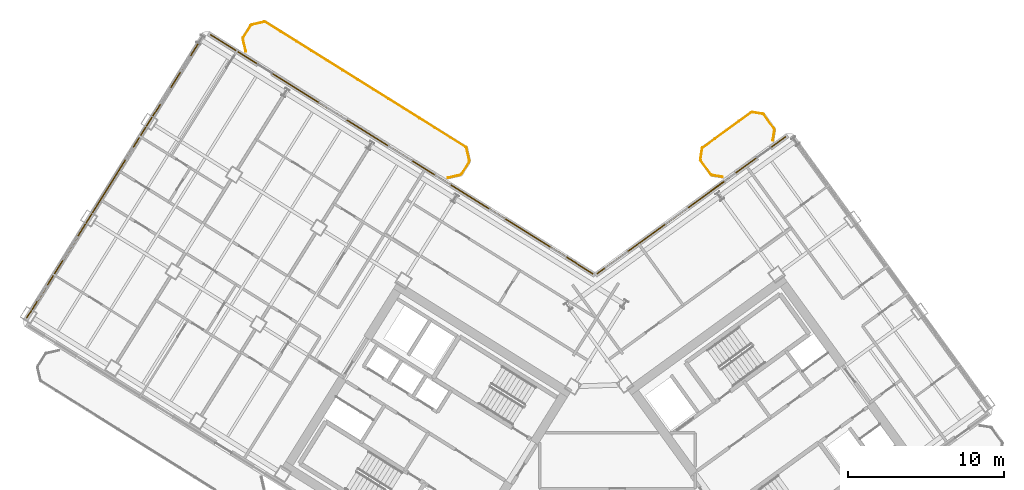
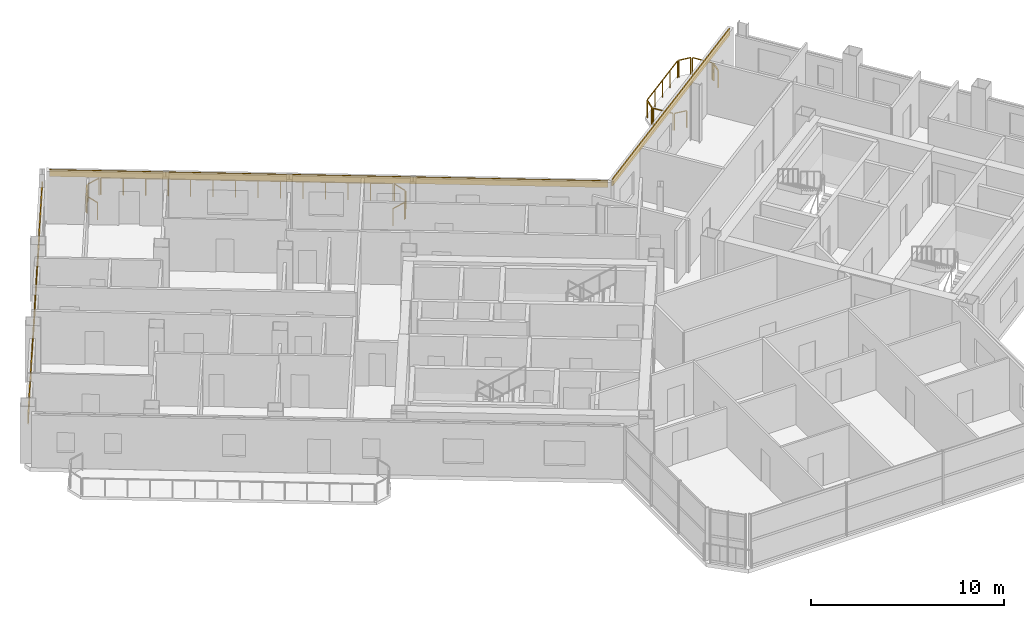
# One storey, part 21 of 21: 14 railings, 3 coverings.
"""IFC4 building model written with IfcOpenShell, lengths in metres."""

import ifcopenshell
import ifcopenshell.guid

model = None  # the IFC model being written
_history = None  # IfcOwnerHistory: only IFC2X3 demands one
_inside = {}  # id of a spatial element -> (the spatial element, [elements in it])
_under = {}  # id of a project, library or spatial element -> (it, [spatial elements below it])
_declared = {}  # id of a project -> (the project, [libraries it declares])
_typed = {}  # id of a type object -> (the type object, [elements of that type])
_made_of = {}  # id of a material, layer set ... -> (it, [elements and type objects made of it])


def new_model(schema):
    """Start an empty IFC model of exactly this schema.

    Asked for "IFC4X3", IfcOpenShell would pick the latest addendum, in which some entities
    have other attributes; the version numbers below select the first issue.
    IFC2X3 requires an IfcOwnerHistory on every rooted entity: one is made here for all.
    """
    global model, _history
    if schema == "IFC4X3":
        model = ifcopenshell.file(schema_version=(4, 3, 0, 0))
    else:
        model = ifcopenshell.file(schema=schema)
    _inside.clear()
    _under.clear()
    _declared.clear()
    _typed.clear()
    _made_of.clear()
    _history = None
    if model.schema == "IFC2X3":
        org = make("IfcOrganization", Name="unknown")
        user = make(
            "IfcPersonAndOrganization",
            ThePerson=make("IfcPerson", FamilyName="unknown"),
            TheOrganization=org,
        )
        app = make(
            "IfcApplication",
            ApplicationDeveloper=org,
            Version="unknown",
            ApplicationFullName="unknown",
            ApplicationIdentifier="unknown",
        )
        _history = make(
            "IfcOwnerHistory",
            OwningUser=user,
            OwningApplication=app,
            ChangeAction="ADDED",
            CreationDate=0,
        )
    return model


def make(cls, **values):
    """One entity of the class cls with the attributes given. An attribute that is None is left unset."""
    return model.create_entity(
        cls, **{name: value for name, value in values.items() if value is not None}
    )


def rooted(cls, **values):
    """An entity with a GlobalId (a new one), such as an element, a storey or a relation."""
    return make(cls, GlobalId=ifcopenshell.guid.new(), OwnerHistory=_history, **values)


def si_unit(unit_type, name, prefix=None):
    """IfcSIUnit, for example si_unit("LENGTHUNIT", "METRE", prefix="MILLI")."""
    return make("IfcSIUnit", UnitType=unit_type, Prefix=prefix, Name=name)


def assignment(units):
    """IfcUnitAssignment: the units of a project."""
    return None if units is None else make("IfcUnitAssignment", Units=units)


def point(xyz):
    """IfcCartesianPoint."""
    return None if xyz is None else make("IfcCartesianPoint", Coordinates=xyz)


def direction(xyz):
    """IfcDirection."""
    return None if xyz is None else make("IfcDirection", DirectionRatios=xyz)


def frame(location, z_axis=None, x_axis=None):
    """IfcAxis2Placement3D, a coordinate frame: its origin and axes. An axis left out is left unset."""
    return make(
        "IfcAxis2Placement3D",
        Location=point(location),
        Axis=direction(z_axis),
        RefDirection=direction(x_axis),
    )


def frame_2d(location, x_axis=None):
    """IfcAxis2Placement2D, a coordinate frame in the plane: its origin and x axis."""
    return make(
        "IfcAxis2Placement2D", Location=point(location), RefDirection=direction(x_axis)
    )


def origin():
    """The frame at (0, 0, 0) with its axes left unset."""
    return frame((0.0, 0.0, 0.0))


def origin_2d():
    """The frame at (0, 0) in the plane with its x axis left unset."""
    return frame_2d((0.0, 0.0))


def place(relative_to, where):
    """IfcLocalPlacement: puts the frame where relative to a parent placement (None: the world)."""
    return make(
        "IfcLocalPlacement", PlacementRelTo=relative_to, RelativePlacement=where
    )


def context(
    kind, dimensions, precision=None, world=None, true_north=None, identifier=None
):
    """IfcGeometricRepresentationContext, for example the 3D "Model" context."""
    return make(
        "IfcGeometricRepresentationContext",
        ContextIdentifier=identifier,
        ContextType=kind,
        CoordinateSpaceDimension=dimensions,
        Precision=precision,
        WorldCoordinateSystem=world,
        TrueNorth=true_north,
    )


def subcontext(parent, identifier, kind, view, scale=None):
    """IfcGeometricRepresentationSubContext, for example "Body" below "Model"."""
    return make(
        "IfcGeometricRepresentationSubContext",
        ContextIdentifier=identifier,
        ContextType=kind,
        ParentContext=parent,
        TargetScale=scale,
        TargetView=view,
    )


def project(units=None, contexts=None):
    """IfcProject with its units and contexts."""
    return rooted(
        "IfcProject",
        Name="project",
        RepresentationContexts=contexts,
        UnitsInContext=assignment(units),
    )


def spatial(cls, under=None, at=None, **own):
    """A site, building, storey or space (cls), placed at a placement, below another one or the project."""
    s = rooted(cls, ObjectPlacement=at, **own)
    if under is not None:
        _under.setdefault(under.id(), (under, []))[1].append(s)
    return s


def profile(cls, at=None, kind="AREA", **sizes):
    """A parametric profile (cls). Its sizes go by their IFC names, for example OverallWidth=200.0."""
    return make(cls, ProfileType=kind, Position=at, **sizes)


def rectangle(**sizes):
    """IfcRectangleProfileDef."""
    return profile("IfcRectangleProfileDef", **sizes)


def extrude(swept, where, along, depth):
    """IfcExtrudedAreaSolid: the profile swept, set in the frame where, extruded along a direction by depth."""
    return make(
        "IfcExtrudedAreaSolid",
        SweptArea=swept,
        Position=where,
        ExtrudedDirection=direction(along),
        Depth=depth,
    )


def shape(context_of_items, identifier, shape_type, items):
    """IfcShapeRepresentation: the items that make up one representation, for example the "Body"."""
    return make(
        "IfcShapeRepresentation",
        ContextOfItems=context_of_items,
        RepresentationIdentifier=identifier,
        RepresentationType=shape_type,
        Items=items,
    )


def source(mapping_origin, context_of_items, identifier, shape_type, items):
    """IfcRepresentationMap: a shape defined once, which mapped items show again and again."""
    return make(
        "IfcRepresentationMap",
        MappingOrigin=mapping_origin,
        MappedRepresentation=shape(context_of_items, identifier, shape_type, items),
    )


def transform(
    local_origin,
    x_axis=None,
    y_axis=None,
    z_axis=None,
    scale=None,
    scale2=None,
    scale3=None,
    uniform=True,
):
    """IfcCartesianTransformationOperator3D, or its non-uniform kind. x_axis, y_axis, z_axis: its Axis1, 2, 3."""
    if uniform:
        return make(
            "IfcCartesianTransformationOperator3D",
            Axis1=direction(x_axis),
            Axis2=direction(y_axis),
            LocalOrigin=point(local_origin),
            Scale=scale,
            Axis3=direction(z_axis),
        )
    return make(
        "IfcCartesianTransformationOperator3DnonUniform",
        Axis1=direction(x_axis),
        Axis2=direction(y_axis),
        LocalOrigin=point(local_origin),
        Scale=scale,
        Axis3=direction(z_axis),
        Scale2=scale2,
        Scale3=scale3,
    )


def mapped(mapping_source, mapping_target):
    """IfcMappedItem: shows the shape of a source again, moved by a transform."""
    return make(
        "IfcMappedItem", MappingSource=mapping_source, MappingTarget=mapping_target
    )


def material(Name=None, Category=None):
    """IfcMaterial."""
    return make("IfcMaterial", Name=Name, Category=Category)


def layer(
    of_material, thickness, ventilated=None, Name=None, Category=None, Priority=None
):
    """IfcMaterialLayer: one layer of a wall or slab, of a material (None: an air gap)."""
    return make(
        "IfcMaterialLayer",
        Material=of_material,
        LayerThickness=thickness,
        IsVentilated=ventilated,
        Name=Name,
        Category=Category,
        Priority=Priority,
    )


def layer_set(layers, Name=None):
    """IfcMaterialLayerSet."""
    return make("IfcMaterialLayerSet", MaterialLayers=layers, LayerSetName=Name)


def made_of(thing, what):
    """Note that an element or type object is made of a material, layer set ...; save() writes the relation."""
    if what is not None:
        _made_of.setdefault(what.id(), (what, []))[1].append(thing)
    return thing


def type_object(cls, material=None, **own):
    """A type object (cls), such as IfcWallType, which elements share."""
    return made_of(rooted(cls, **own), material)


def element(
    cls,
    number,
    at=None,
    inside=None,
    cuts=None,
    type_object=None,
    material=None,
    context=None,
    identifier="Body",
    shape_type=None,
    held_by="IfcProductDefinitionShape",
    body=None,
    shapes=None,
    **own,
):
    """One element of the class cls, such as IfcWall. Its Tag is "e" and its number.

    at: its placement. inside: the storey or other place that contains it. cuts: it is an
    opening in that element (IfcRelVoidsElement). A single representation is given by context,
    identifier, shape_type and body (its items); several are given by shapes. held_by: the class
    of the entity that holds the representations. save() writes the other relations.
    """
    e = rooted(cls, Tag="e%d" % number, ObjectPlacement=at, **own)
    if body is not None:
        shapes = [shape(context, identifier, shape_type, body)]
    if shapes is not None:
        e.Representation = make(held_by, Representations=shapes)
    if inside is not None:
        _inside.setdefault(inside.id(), (inside, []))[1].append(e)
    if cuts is not None:
        rooted(
            "IfcRelVoidsElement", RelatingBuildingElement=cuts, RelatedOpeningElement=e
        )
    if type_object is not None:
        _typed.setdefault(type_object.id(), (type_object, []))[1].append(e)
    return made_of(e, material)


def aggregate(whole, parts):
    """IfcRelAggregates: a whole, such as a stair, and the parts it consists of."""
    return rooted("IfcRelAggregates", RelatingObject=whole, RelatedObjects=parts)


def save(model, path):
    """Write the relations noted so far, then the file.

    IfcRelAggregates (storeys below a building ...), IfcRelContainedInSpatialStructure (elements
    in a storey), IfcRelDefinesByType, IfcRelAssociatesMaterial and IfcRelDeclares: one each for
    every whole, place, type object, material and project.
    """
    for whole, parts in _under.values():
        aggregate(whole, parts)
    for where, things in _inside.values():
        rooted(
            "IfcRelContainedInSpatialStructure",
            RelatedElements=things,
            RelatingStructure=where,
        )
    for kind, things in _typed.values():
        rooted("IfcRelDefinesByType", RelatedObjects=things, RelatingType=kind)
    for what, things in _made_of.values():
        rooted("IfcRelAssociatesMaterial", RelatedObjects=things, RelatingMaterial=what)
    for by, libraries in _declared.values():
        rooted("IfcRelDeclares", RelatingContext=by, RelatedDefinitions=libraries)
    model.write(path)


model = new_model("IFC4")

# Units and contexts
model_context = context("Model", 3, precision=1e-05, world=origin(), true_north=direction((0.0, 1.0)))
body_context = subcontext(model_context, "Body", "Model", "MODEL_VIEW")
ifc_project = project(units=[si_unit("LENGTHUNIT", "METRE"), si_unit("AREAUNIT", "SQUARE_METRE"), si_unit("VOLUMEUNIT", "CUBIC_METRE"), si_unit("PLANEANGLEUNIT", "RADIAN"), si_unit("MASSUNIT", "GRAM", prefix="KILO")], contexts=[model_context])

# Site, building, storey
site_placement = place(None, origin())
site = spatial("IfcSite", under=ifc_project, at=site_placement, CompositionType="ELEMENT")
building_placement = place(site_placement, origin())
building = spatial("IfcBuilding", under=site, at=building_placement, Name="Tlacorven Tower", CompositionType="ELEMENT")
storey_placement = place(building_placement, frame((0.0, 0.0, 191.39990234375)))
storey = spatial("IfcBuildingStorey", under=building, at=storey_placement, Name="L48", CompositionType="ELEMENT", Elevation=191.39990234375)

# Railings
ifc_material_1 = material(Name="Aluminium and painted steel balustrade", Category="steel")
railing_type = type_object("IfcRailingType", Name="RL-BAL-1100", PredefinedType="BALUSTRADE", material=ifc_material_1)
shared_shape_1 = source(origin(), body_context, "Body", "SweptSolid", [
    extrude(rectangle(XDim=0.048095703125, YDim=0.048095703125, at=origin_2d()), frame((0.0, 0.0, 1.076171875), z_axis=(0.974345290916, 0.225058334816, 0.0), x_axis=(-0.225058334816, 0.974345290916, 0.0)), (0.0, 0.0, 1.0), 0.80712890625),
    extrude(rectangle(XDim=0.0419921875, YDim=0.0419921875, at=origin_2d()), origin(), (0.0, 0.0, 1.0), 1.052001953125),
    extrude(rectangle(XDim=0.0419921875, YDim=0.0419921875, at=origin_2d()), frame((0.786376953125, 0.181640625, 0.0)), (0.0, 0.0, 1.0), 1.052001953125),
])
railing_1_placement = place(storey_placement, frame((20.2138671875, 47.643798828125, 0.0)))
element("IfcRailing", 1, at=railing_1_placement, inside=storey, type_object=railing_type, Name="BAL-L48-W-IN Guard Railing 6", PredefinedType="BALUSTRADE", context=body_context, shape_type="MappedRepresentation", body=[
    mapped(shared_shape_1, transform((0.0, 0.0, 0.0), scale=1.0)),
])
shared_shape_2 = source(origin(), body_context, "Body", "SweptSolid", [
    extrude(rectangle(XDim=0.048095703125, YDim=0.048095703125, at=origin_2d()), frame((0.0, 0.0, 1.076171875), z_axis=(-0.987661653326, 0.156602868908, 0.0), x_axis=(-0.156602868908, -0.987661653326, 0.0)), (0.0, 0.0, 1.0), 0.665771484375),
    extrude(rectangle(XDim=0.0419921875, YDim=0.0419921875, at=origin_2d()), origin(), (0.0, 0.0, 1.0), 1.052001953125),
    extrude(rectangle(XDim=0.0419921875, YDim=0.0419921875, at=origin_2d()), frame((-0.657470703125, 0.104248046875, 0.0)), (0.0, 0.0, 1.0), 1.052001953125),
])
railing_2_placement = place(storey_placement, frame((50.359130859375, 37.891845703125, 0.0)))
element("IfcRailing", 2, at=railing_2_placement, inside=storey, type_object=railing_type, Name="BAL-L48-E-IN Guard Railing 1", PredefinedType="BALUSTRADE", context=body_context, shape_type="MappedRepresentation", body=[
    mapped(shared_shape_2, transform((0.0, 0.0, 0.0), scale=1.0)),
])
shared_shape_3 = source(origin(), body_context, "Body", "SweptSolid", [
    extrude(rectangle(XDim=0.048095703125, YDim=0.048095703125, at=origin_2d()), frame((0.0, 0.0, 1.076171875), z_axis=(0.156602868908, 0.987661653326, 0.0), x_axis=(-0.987661653326, 0.156602868908, 0.0)), (0.0, 0.0, 1.0), 0.665771484375),
    extrude(rectangle(XDim=0.0419921875, YDim=0.0419921875, at=origin_2d()), origin(), (0.0, 0.0, 1.0), 1.052001953125),
    extrude(rectangle(XDim=0.0419921875, YDim=0.0419921875, at=origin_2d()), frame((0.104248046875, 0.657470703125, 0.0)), (0.0, 0.0, 1.0), 1.052001953125),
])
railing_3_placement = place(storey_placement, frame((48.947509765625, 39.033935546875, 0.0)))
element("IfcRailing", 3, at=railing_3_placement, inside=storey, type_object=railing_type, Name="BAL-L48-E-IN Guard Railing 3", PredefinedType="BALUSTRADE", context=body_context, shape_type="MappedRepresentation", body=[
    mapped(shared_shape_3, transform((0.0, 0.0, 0.0), scale=1.0)),
])
shared_shape_4 = source(origin(), body_context, "Body", "SweptSolid", [
    extrude(rectangle(XDim=0.048095703125, YDim=0.048095703125, at=origin_2d()), frame((0.0, 0.0, 1.076171875), z_axis=(-0.156245081039, -0.987718317463, 0.0), x_axis=(0.987718317463, -0.156245081039, 0.0)), (0.0, 0.0, 1.0), 0.66552734375),
    extrude(rectangle(XDim=0.0419921875, YDim=0.0419921875, at=origin_2d()), origin(), (0.0, 0.0, 1.0), 1.052001953125),
    extrude(rectangle(XDim=0.0419921875, YDim=0.0419921875, at=origin_2d()), frame((-0.10400390625, -0.657470703125, 0.0)), (0.0, 0.0, 1.0), 1.052001953125),
])
railing_4_placement = place(storey_placement, frame((53.689453125, 40.893310546875, 0.0)))
element("IfcRailing", 4, at=railing_4_placement, inside=storey, type_object=railing_type, Name="BAL-L48-E-IN Guard Railing 7", PredefinedType="BALUSTRADE", context=body_context, shape_type="MappedRepresentation", body=[
    mapped(shared_shape_4, transform((0.0, 0.0, 0.0), scale=1.0)),
])

# Covering
ifc_material_2 = material(Name="Precast concrete C45/55", Category="concrete")
ifc_layer = layer(ifc_material_2, 0.06005859375)
ifc_layer_set = layer_set([ifc_layer], Name="Precast concrete C45/55")
covering_type = type_object("IfcCoveringType", Name="CV-CLD-TERC", PredefinedType="CLADDING", material=ifc_layer_set)
shared_shape_5 = source(origin(), body_context, "Body", "SweptSolid", [
    extrude(rectangle(XDim=21.287353515625, YDim=0.06005859375, at=origin_2d()), origin(), (0.0, 0.0, 1.0), 0.419921875),
])
covering_1_placement = place(storey_placement, frame((11.419677734375, 37.864013671875, 2.375244140625), z_axis=(0.0, 0.0, 1.0), x_axis=(0.529919147866, 0.848048168871, 0.0)))
element("IfcCovering", 5, at=covering_1_placement, inside=storey, type_object=covering_type, Name="L48 Masonry-Frame Spandrel Cladding 2", PredefinedType="CLADDING", context=body_context, shape_type="MappedRepresentation", body=[
    mapped(shared_shape_5, transform((0.0, 0.0, 0.0), scale=1.0)),
])

# Railings
shared_shape_6 = source(origin(), body_context, "Body", "SweptSolid", [
    extrude(rectangle(XDim=0.048095703125, YDim=0.048095703125, at=origin_2d()), frame((0.0, 0.0, 1.076171875), z_axis=(0.529998940003, 0.847998304005, 0.0), x_axis=(-0.847998304005, 0.529998940003, 0.0)), (0.0, 0.0, 1.0), 0.912109375),
    extrude(rectangle(XDim=0.0419921875, YDim=0.0419921875, at=origin_2d()), origin(), (0.0, 0.0, 1.0), 1.052001953125),
    extrude(rectangle(XDim=0.0419921875, YDim=0.0419921875, at=origin_2d()), frame((0.4833984375, 0.7734375, 0.0)), (0.0, 0.0, 1.0), 1.052001953125),
])
railing_5_placement = place(storey_placement, frame((19.6552734375, 46.816650390625, 0.0)))
element("IfcRailing", 6, at=railing_5_placement, inside=storey, type_object=railing_type, Name="BAL-L48-W-IN Guard Railing 5", PredefinedType="BALUSTRADE", context=body_context, shape_type="MappedRepresentation", body=[
    mapped(shared_shape_6, transform((0.0, 0.0, 0.0), scale=1.0)),
])
shared_shape_7 = source(origin(), body_context, "Body", "SweptSolid", [
    extrude(rectangle(XDim=0.048095703125, YDim=0.048095703125, at=origin_2d()), frame((0.0, 0.0, 1.076171875), z_axis=(0.224992020761, -0.974360606036, 0.0), x_axis=(0.974360606036, 0.224992020761, 0.0)), (0.0, 0.0, 1.0), 0.807373046875),
    extrude(rectangle(XDim=0.0419921875, YDim=0.0419921875, at=origin_2d()), origin(), (0.0, 0.0, 1.0), 1.052001953125),
    extrude(rectangle(XDim=0.0419921875, YDim=0.0419921875, at=origin_2d()), frame((0.181640625, -0.78662109375, 0.0)), (0.0, 0.0, 1.0), 1.052001953125),
])
railing_6_placement = place(storey_placement, frame((33.965087890625, 39.72412109375, 0.0)))
element("IfcRailing", 7, at=railing_6_placement, inside=storey, type_object=railing_type, Name="BAL-L48-W-IN Guard Railing 1", PredefinedType="BALUSTRADE", context=body_context, shape_type="MappedRepresentation", body=[
    mapped(shared_shape_7, transform((0.0, 0.0, 0.0), scale=1.0)),
])
shared_shape_8 = source(origin(), body_context, "Body", "SweptSolid", [
    extrude(rectangle(XDim=0.048095703125, YDim=0.048095703125, at=origin_2d()), frame((0.0, 0.0, 1.076171875), z_axis=(-0.529998940003, -0.847998304005, 0.0), x_axis=(0.847998304005, -0.529998940003, 0.0)), (0.0, 0.0, 1.0), 0.912109375),
    extrude(rectangle(XDim=0.0419921875, YDim=0.0419921875, at=origin_2d()), origin(), (0.0, 0.0, 1.0), 1.052001953125),
    extrude(rectangle(XDim=0.0419921875, YDim=0.0419921875, at=origin_2d()), frame((-0.4833984375, -0.7734375, 0.0)), (0.0, 0.0, 1.0), 1.052001953125),
])
railing_7_placement = place(storey_placement, frame((34.131591796875, 38.846435546875, 0.0)))
element("IfcRailing", 8, at=railing_7_placement, inside=storey, type_object=railing_type, Name="BAL-L48-W-IN Guard Railing 2", PredefinedType="BALUSTRADE", context=body_context, shape_type="MappedRepresentation", body=[
    mapped(shared_shape_8, transform((0.0, 0.0, 0.0), scale=1.0)),
])
shared_shape_9 = source(origin(), body_context, "Body", "SweptSolid", [
    extrude(rectangle(XDim=0.048095703125, YDim=0.048095703125, at=origin_2d()), frame((0.0, 0.0, 1.076171875), z_axis=(-0.974360606036, -0.224992020761, 0.0), x_axis=(0.224992020761, -0.974360606036, 0.0)), (0.0, 0.0, 1.0), 0.807373046875),
    extrude(rectangle(XDim=0.0419921875, YDim=0.0419921875, at=origin_2d()), origin(), (0.0, 0.0, 1.0), 1.052001953125),
    extrude(rectangle(XDim=0.0419921875, YDim=0.0419921875, at=origin_2d()), frame((-0.78662109375, -0.181640625, 0.0)), (0.0, 0.0, 1.0), 1.052001953125),
])
railing_8_placement = place(storey_placement, frame((33.572998046875, 38.019287109375, 0.0)))
element("IfcRailing", 9, at=railing_8_placement, inside=storey, type_object=railing_type, Name="BAL-L48-W-IN Guard Railing 3", PredefinedType="BALUSTRADE", context=body_context, shape_type="MappedRepresentation", body=[
    mapped(shared_shape_9, transform((0.0, 0.0, 0.0), scale=1.0)),
])
shared_shape_10 = source(origin(), body_context, "Body", "SweptSolid", [
    extrude(rectangle(XDim=0.048095703125, YDim=0.048095703125, at=origin_2d()), frame((0.0, 0.0, 1.076171875), z_axis=(-0.22470489119, 0.974426863277, 0.0), x_axis=(-0.974426863277, -0.22470489119, 0.0)), (0.0, 0.0, 1.0), 0.807373046875),
    extrude(rectangle(XDim=0.0419921875, YDim=0.0419921875, at=origin_2d()), origin(), (0.0, 0.0, 1.0), 1.052001953125),
    extrude(rectangle(XDim=0.0419921875, YDim=0.0419921875, at=origin_2d()), frame((-0.181396484375, 0.78662109375, 0.0)), (0.0, 0.0, 1.0), 1.052001953125),
])
railing_9_placement = place(storey_placement, frame((19.821533203125, 45.93896484375, 0.0)))
element("IfcRailing", 10, at=railing_9_placement, inside=storey, type_object=railing_type, Name="BAL-L48-W-IN Guard Railing 4", PredefinedType="BALUSTRADE", context=body_context, shape_type="MappedRepresentation", body=[
    mapped(shared_shape_10, transform((0.0, 0.0, 0.0), scale=1.0)),
])
shared_shape_11 = source(origin(), body_context, "Body", "SweptSolid", [
    extrude(rectangle(XDim=0.048095703125, YDim=0.048095703125, at=origin_2d()), frame((0.0, 0.0, 1.076171875), z_axis=(0.848051830527, -0.529913287944, 0.0), x_axis=(0.529913287944, 0.848051830527, 0.0)), (0.0, 0.0, 1.0), 15.1171875),
    extrude(rectangle(XDim=0.0419921875, YDim=0.0419921875, at=origin_2d()), origin(), (0.0, 0.0, 1.0), 1.052001953125),
    extrude(rectangle(XDim=0.0419921875, YDim=0.0419921875, at=origin_2d()), frame((0.986083984375, -0.6162109375, 0.0)), (0.0, 0.0, 1.0), 1.052001953125),
    extrude(rectangle(XDim=0.0419921875, YDim=0.0419921875, at=origin_2d()), frame((1.972412109375, -1.232421875, 0.0)), (0.0, 0.0, 1.0), 1.052001953125),
    extrude(rectangle(XDim=0.0419921875, YDim=0.0419921875, at=origin_2d()), frame((2.95849609375, -1.8486328125, 0.0)), (0.0, 0.0, 1.0), 1.052001953125),
    extrude(rectangle(XDim=0.0419921875, YDim=0.0419921875, at=origin_2d()), frame((3.944580078125, -2.46484375, 0.0)), (0.0, 0.0, 1.0), 1.052001953125),
    extrude(rectangle(XDim=0.0419921875, YDim=0.0419921875, at=origin_2d()), frame((4.930908203125, -3.0810546875, 0.0)), (0.0, 0.0, 1.0), 1.052001953125),
    extrude(rectangle(XDim=0.0419921875, YDim=0.0419921875, at=origin_2d()), frame((5.9169921875, -3.697265625, 0.0)), (0.0, 0.0, 1.0), 1.052001953125),
    extrude(rectangle(XDim=0.0419921875, YDim=0.0419921875, at=origin_2d()), frame((6.903076171875, -4.3134765625, 0.0)), (0.0, 0.0, 1.0), 1.052001953125),
    extrude(rectangle(XDim=0.0419921875, YDim=0.0419921875, at=origin_2d()), frame((7.88916015625, -4.9296875, 0.0)), (0.0, 0.0, 1.0), 1.052001953125),
    extrude(rectangle(XDim=0.0419921875, YDim=0.0419921875, at=origin_2d()), frame((8.87548828125, -5.5458984375, 0.0)), (0.0, 0.0, 1.0), 1.052001953125),
    extrude(rectangle(XDim=0.0419921875, YDim=0.0419921875, at=origin_2d()), frame((9.861572265625, -6.162109375, 0.0)), (0.0, 0.0, 1.0), 1.052001953125),
    extrude(rectangle(XDim=0.0419921875, YDim=0.0419921875, at=origin_2d()), frame((10.84765625, -6.7783203125, 0.0)), (0.0, 0.0, 1.0), 1.052001953125),
    extrude(rectangle(XDim=0.0419921875, YDim=0.0419921875, at=origin_2d()), frame((11.833984375, -7.39453125, 0.0)), (0.0, 0.0, 1.0), 1.052001953125),
    extrude(rectangle(XDim=0.0419921875, YDim=0.0419921875, at=origin_2d()), frame((12.820068359375, -8.0107421875, 0.0)), (0.0, 0.0, 1.0), 1.052001953125),
])
railing_10_placement = place(storey_placement, frame((21.091552734375, 47.81005859375, 0.0)))
element("IfcRailing", 11, at=railing_10_placement, inside=storey, type_object=railing_type, Name="BAL-L48-W-IN Guard Railing 7", PredefinedType="BALUSTRADE", context=body_context, shape_type="MappedRepresentation", body=[
    mapped(shared_shape_11, transform((0.0, 0.0, 0.0), scale=1.0)),
])
shared_shape_12 = source(origin(), body_context, "Body", "SweptSolid", [
    extrude(rectangle(XDim=0.048095703125, YDim=0.048095703125, at=origin_2d()), frame((0.0, 0.0, 1.076171875), z_axis=(-0.587636431696, 0.809125097957, 0.0), x_axis=(-0.809125097957, -0.587636431696, 0.0)), (0.0, 0.0, 1.0), 1.1123046875),
    extrude(rectangle(XDim=0.0419921875, YDim=0.0419921875, at=origin_2d()), origin(), (0.0, 0.0, 1.0), 1.052001953125),
    extrude(rectangle(XDim=0.0419921875, YDim=0.0419921875, at=origin_2d()), frame((-0.653564453125, 0.89990234375, 0.0)), (0.0, 0.0, 1.0), 1.052001953125),
])
railing_11_placement = place(storey_placement, frame((49.622802734375, 38.044189453125, 0.0)))
element("IfcRailing", 12, at=railing_11_placement, inside=storey, type_object=railing_type, Name="BAL-L48-E-IN Guard Railing 2", PredefinedType="BALUSTRADE", context=body_context, shape_type="MappedRepresentation", body=[
    mapped(shared_shape_12, transform((0.0, 0.0, 0.0), scale=1.0)),
])
shared_shape_13 = source(origin(), body_context, "Body", "SweptSolid", [
    extrude(rectangle(XDim=0.048095703125, YDim=0.048095703125, at=origin_2d()), frame((0.0, 0.0, 1.076171875), z_axis=(0.809018102573, 0.587783726986, 0.0), x_axis=(-0.587783726986, 0.809018102573, 0.0)), (0.0, 0.0, 1.0), 3.817138671875),
    extrude(rectangle(XDim=0.0419921875, YDim=0.0419921875, at=origin_2d()), origin(), (0.0, 0.0, 1.0), 1.052001953125),
    extrude(rectangle(XDim=0.0419921875, YDim=0.0419921875, at=origin_2d()), frame((0.77197265625, 0.56103515625, 0.0)), (0.0, 0.0, 1.0), 1.052001953125),
    extrude(rectangle(XDim=0.0419921875, YDim=0.0419921875, at=origin_2d()), frame((1.5439453125, 1.121826171875, 0.0)), (0.0, 0.0, 1.0), 1.052001953125),
    extrude(rectangle(XDim=0.0419921875, YDim=0.0419921875, at=origin_2d()), frame((2.316162109375, 1.6826171875, 0.0)), (0.0, 0.0, 1.0), 1.052001953125),
    extrude(rectangle(XDim=0.0419921875, YDim=0.0419921875, at=origin_2d()), frame((3.088134765625, 2.24365234375, 0.0)), (0.0, 0.0, 1.0), 1.052001953125),
])
railing_12_placement = place(storey_placement, frame((49.10009765625, 39.77001953125, 0.0)))
element("IfcRailing", 13, at=railing_12_placement, inside=storey, type_object=railing_type, Name="BAL-L48-E-IN Guard Railing 4", PredefinedType="BALUSTRADE", context=body_context, shape_type="MappedRepresentation", body=[
    mapped(shared_shape_13, transform((0.0, 0.0, 0.0), scale=1.0)),
])
shared_shape_14 = source(origin(), body_context, "Body", "SweptSolid", [
    extrude(rectangle(XDim=0.048095703125, YDim=0.048095703125, at=origin_2d()), frame((0.0, 0.0, 1.076171875), z_axis=(0.987661653326, -0.156602868908, 0.0), x_axis=(0.156602868908, 0.987661653326, 0.0)), (0.0, 0.0, 1.0), 0.665771484375),
    extrude(rectangle(XDim=0.0419921875, YDim=0.0419921875, at=origin_2d()), origin(), (0.0, 0.0, 1.0), 1.052001953125),
    extrude(rectangle(XDim=0.0419921875, YDim=0.0419921875, at=origin_2d()), frame((0.657470703125, -0.104248046875, 0.0)), (0.0, 0.0, 1.0), 1.052001953125),
])
railing_13_placement = place(storey_placement, frame((52.278076171875, 42.035400390625, 0.0)))
element("IfcRailing", 14, at=railing_13_placement, inside=storey, type_object=railing_type, Name="BAL-L48-E-IN Guard Railing 5", PredefinedType="BALUSTRADE", context=body_context, shape_type="MappedRepresentation", body=[
    mapped(shared_shape_14, transform((0.0, 0.0, 0.0), scale=1.0)),
])
shared_shape_15 = source(origin(), body_context, "Body", "SweptSolid", [
    extrude(rectangle(XDim=0.048095703125, YDim=0.048095703125, at=origin_2d()), frame((0.0, 0.0, 1.076171875), z_axis=(0.587780115446, -0.809020726488, 0.0), x_axis=(0.809020726488, 0.587780115446, 0.0)), (0.0, 0.0, 1.0), 1.1123046875),
    extrude(rectangle(XDim=0.0419921875, YDim=0.0419921875, at=origin_2d()), origin(), (0.0, 0.0, 1.0), 1.052001953125),
    extrude(rectangle(XDim=0.0419921875, YDim=0.0419921875, at=origin_2d()), frame((0.65380859375, -0.89990234375, 0.0)), (0.0, 0.0, 1.0), 1.052001953125),
])
railing_14_placement = place(storey_placement, frame((53.01416015625, 41.883056640625, 0.0)))
element("IfcRailing", 15, at=railing_14_placement, inside=storey, type_object=railing_type, Name="BAL-L48-E-IN Guard Railing 6", PredefinedType="BALUSTRADE", context=body_context, shape_type="MappedRepresentation", body=[
    mapped(shared_shape_15, transform((0.0, 0.0, 0.0), scale=1.0)),
])

# Coverings
shared_shape_16 = source(origin(), body_context, "Body", "SweptSolid", [
    extrude(rectangle(XDim=28.923095703125, YDim=0.06005859375, at=origin_2d()), origin(), (0.0, 0.0, 1.0), 0.419921875),
])
covering_2_placement = place(storey_placement, frame((29.815185546875, 39.34033203125, 2.900146484375), z_axis=(0.0, 0.0, 1.0), x_axis=(0.848048220257, -0.52991906563, 0.0)))
element("IfcCovering", 16, at=covering_2_placement, inside=storey, type_object=covering_type, Name="L48 Masonry-Frame Spandrel Cladding 3", PredefinedType="CLADDING", context=body_context, shape_type="MappedRepresentation", body=[
    mapped(shared_shape_16, transform((0.0, 0.0, 0.0), scale=1.0)),
])
shared_shape_17 = source(origin(), body_context, "Body", "SweptSolid", [
    extrude(rectangle(XDim=14.923095703125, YDim=0.06005859375, at=origin_2d()), origin(), (0.0, 0.0, 1.0), 0.419921875),
])
covering_3_placement = place(storey_placement, frame((48.3642578125, 36.0712890625, 2.900146484375), z_axis=(0.0, 0.0, 1.0), x_axis=(0.809016703631, 0.587785652468, 0.0)))
element("IfcCovering", 17, at=covering_3_placement, inside=storey, type_object=covering_type, Name="L48 Masonry-Frame Spandrel Cladding 4", PredefinedType="CLADDING", context=body_context, shape_type="MappedRepresentation", body=[
    mapped(shared_shape_17, transform((0.0, 0.0, 0.0), scale=1.0)),
])

save(model, "model.ifc")
